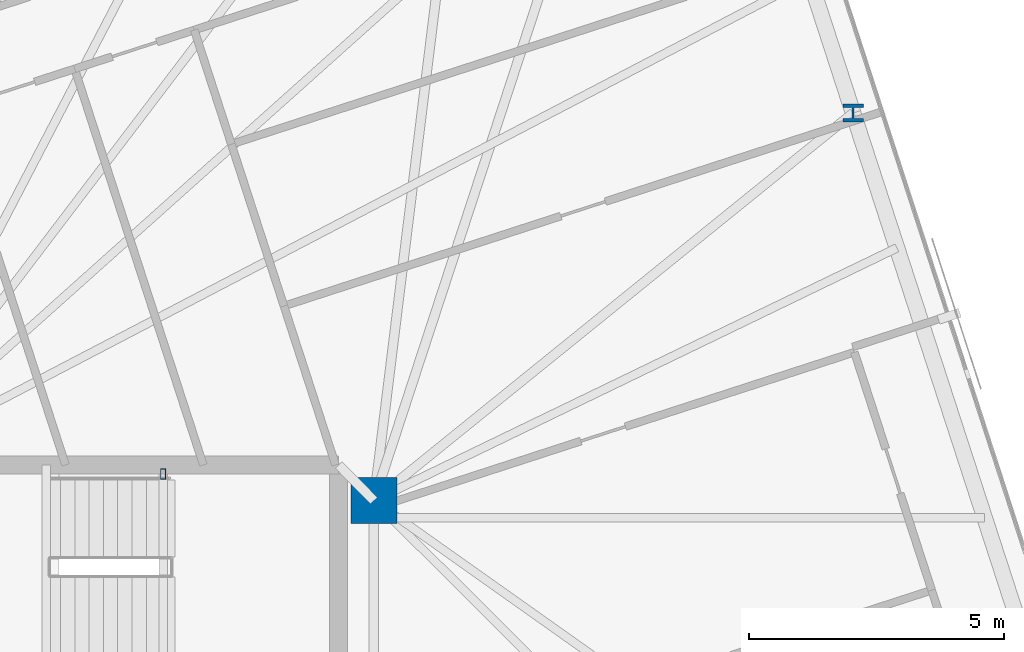
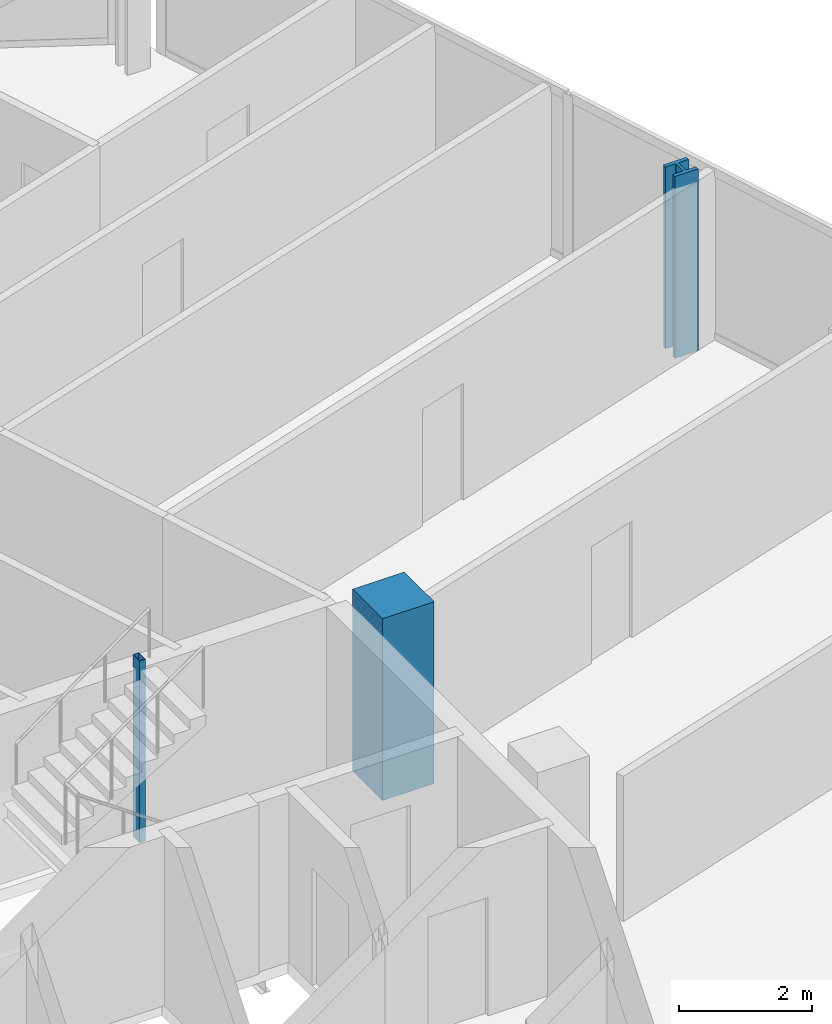
# One storey, part 3 of 20: 3 columns.
"""IFC4 building model written with IfcOpenShell, lengths in metres."""

import ifcopenshell
import ifcopenshell.guid

model = None  # the IFC model being written
_history = None  # IfcOwnerHistory: only IFC2X3 demands one
_inside = {}  # id of a spatial element -> (the spatial element, [elements in it])
_under = {}  # id of a project, library or spatial element -> (it, [spatial elements below it])
_declared = {}  # id of a project -> (the project, [libraries it declares])
_typed = {}  # id of a type object -> (the type object, [elements of that type])
_made_of = {}  # id of a material, layer set ... -> (it, [elements and type objects made of it])


def new_model(schema):
    """Start an empty IFC model of exactly this schema.

    Asked for "IFC4X3", IfcOpenShell would pick the latest addendum, in which some entities
    have other attributes; the version numbers below select the first issue.
    IFC2X3 requires an IfcOwnerHistory on every rooted entity: one is made here for all.
    """
    global model, _history
    if schema == "IFC4X3":
        model = ifcopenshell.file(schema_version=(4, 3, 0, 0))
    else:
        model = ifcopenshell.file(schema=schema)
    _inside.clear()
    _under.clear()
    _declared.clear()
    _typed.clear()
    _made_of.clear()
    _history = None
    if model.schema == "IFC2X3":
        org = make("IfcOrganization", Name="unknown")
        user = make(
            "IfcPersonAndOrganization",
            ThePerson=make("IfcPerson", FamilyName="unknown"),
            TheOrganization=org,
        )
        app = make(
            "IfcApplication",
            ApplicationDeveloper=org,
            Version="unknown",
            ApplicationFullName="unknown",
            ApplicationIdentifier="unknown",
        )
        _history = make(
            "IfcOwnerHistory",
            OwningUser=user,
            OwningApplication=app,
            ChangeAction="ADDED",
            CreationDate=0,
        )
    return model


def make(cls, **values):
    """One entity of the class cls with the attributes given. An attribute that is None is left unset."""
    return model.create_entity(
        cls, **{name: value for name, value in values.items() if value is not None}
    )


def rooted(cls, **values):
    """An entity with a GlobalId (a new one), such as an element, a storey or a relation."""
    return make(cls, GlobalId=ifcopenshell.guid.new(), OwnerHistory=_history, **values)


def si_unit(unit_type, name, prefix=None):
    """IfcSIUnit, for example si_unit("LENGTHUNIT", "METRE", prefix="MILLI")."""
    return make("IfcSIUnit", UnitType=unit_type, Prefix=prefix, Name=name)


def assignment(units):
    """IfcUnitAssignment: the units of a project."""
    return None if units is None else make("IfcUnitAssignment", Units=units)


def point(xyz):
    """IfcCartesianPoint."""
    return None if xyz is None else make("IfcCartesianPoint", Coordinates=xyz)


def direction(xyz):
    """IfcDirection."""
    return None if xyz is None else make("IfcDirection", DirectionRatios=xyz)


def frame(location, z_axis=None, x_axis=None):
    """IfcAxis2Placement3D, a coordinate frame: its origin and axes. An axis left out is left unset."""
    return make(
        "IfcAxis2Placement3D",
        Location=point(location),
        Axis=direction(z_axis),
        RefDirection=direction(x_axis),
    )


def frame_2d(location, x_axis=None):
    """IfcAxis2Placement2D, a coordinate frame in the plane: its origin and x axis."""
    return make(
        "IfcAxis2Placement2D", Location=point(location), RefDirection=direction(x_axis)
    )


def origin():
    """The frame at (0, 0, 0) with its axes left unset."""
    return frame((0.0, 0.0, 0.0))


def origin_2d():
    """The frame at (0, 0) in the plane with its x axis left unset."""
    return frame_2d((0.0, 0.0))


def place(relative_to, where):
    """IfcLocalPlacement: puts the frame where relative to a parent placement (None: the world)."""
    return make(
        "IfcLocalPlacement", PlacementRelTo=relative_to, RelativePlacement=where
    )


def context(
    kind, dimensions, precision=None, world=None, true_north=None, identifier=None
):
    """IfcGeometricRepresentationContext, for example the 3D "Model" context."""
    return make(
        "IfcGeometricRepresentationContext",
        ContextIdentifier=identifier,
        ContextType=kind,
        CoordinateSpaceDimension=dimensions,
        Precision=precision,
        WorldCoordinateSystem=world,
        TrueNorth=true_north,
    )


def subcontext(parent, identifier, kind, view, scale=None):
    """IfcGeometricRepresentationSubContext, for example "Body" below "Model"."""
    return make(
        "IfcGeometricRepresentationSubContext",
        ContextIdentifier=identifier,
        ContextType=kind,
        ParentContext=parent,
        TargetScale=scale,
        TargetView=view,
    )


def project(units=None, contexts=None):
    """IfcProject with its units and contexts."""
    return rooted(
        "IfcProject",
        Name="project",
        RepresentationContexts=contexts,
        UnitsInContext=assignment(units),
    )


def spatial(cls, under=None, at=None, **own):
    """A site, building, storey or space (cls), placed at a placement, below another one or the project."""
    s = rooted(cls, ObjectPlacement=at, **own)
    if under is not None:
        _under.setdefault(under.id(), (under, []))[1].append(s)
    return s


def profile(cls, at=None, kind="AREA", **sizes):
    """A parametric profile (cls). Its sizes go by their IFC names, for example OverallWidth=200.0."""
    return make(cls, ProfileType=kind, Position=at, **sizes)


def rectangle(**sizes):
    """IfcRectangleProfileDef."""
    return profile("IfcRectangleProfileDef", **sizes)


def hollow_rectangle(**sizes):
    """IfcRectangleHollowProfileDef."""
    return profile("IfcRectangleHollowProfileDef", **sizes)


def i_section(**sizes):
    """IfcIShapeProfileDef."""
    return profile("IfcIShapeProfileDef", **sizes)


def extrude(swept, where, along, depth):
    """IfcExtrudedAreaSolid: the profile swept, set in the frame where, extruded along a direction by depth."""
    return make(
        "IfcExtrudedAreaSolid",
        SweptArea=swept,
        Position=where,
        ExtrudedDirection=direction(along),
        Depth=depth,
    )


def shape(context_of_items, identifier, shape_type, items):
    """IfcShapeRepresentation: the items that make up one representation, for example the "Body"."""
    return make(
        "IfcShapeRepresentation",
        ContextOfItems=context_of_items,
        RepresentationIdentifier=identifier,
        RepresentationType=shape_type,
        Items=items,
    )


def material(Name=None, Category=None):
    """IfcMaterial."""
    return make("IfcMaterial", Name=Name, Category=Category)


def material_profile(
    of_material, cross_section, Name=None, Category=None, Priority=None
):
    """IfcMaterialProfile: a cross section and its material."""
    return make(
        "IfcMaterialProfile",
        Name=Name,
        Material=of_material,
        Profile=cross_section,
        Priority=Priority,
        Category=Category,
    )


def profile_set(profiles, Name=None, composite=None):
    """IfcMaterialProfileSet."""
    return make(
        "IfcMaterialProfileSet",
        Name=Name,
        MaterialProfiles=profiles,
        CompositeProfile=composite,
    )


def made_of(thing, what):
    """Note that an element or type object is made of a material, layer set ...; save() writes the relation."""
    if what is not None:
        _made_of.setdefault(what.id(), (what, []))[1].append(thing)
    return thing


def type_object(cls, material=None, **own):
    """A type object (cls), such as IfcWallType, which elements share."""
    return made_of(rooted(cls, **own), material)


def element(
    cls,
    number,
    at=None,
    inside=None,
    cuts=None,
    type_object=None,
    material=None,
    context=None,
    identifier="Body",
    shape_type=None,
    held_by="IfcProductDefinitionShape",
    body=None,
    shapes=None,
    **own,
):
    """One element of the class cls, such as IfcWall. Its Tag is "e" and its number.

    at: its placement. inside: the storey or other place that contains it. cuts: it is an
    opening in that element (IfcRelVoidsElement). A single representation is given by context,
    identifier, shape_type and body (its items); several are given by shapes. held_by: the class
    of the entity that holds the representations. save() writes the other relations.
    """
    e = rooted(cls, Tag="e%d" % number, ObjectPlacement=at, **own)
    if body is not None:
        shapes = [shape(context, identifier, shape_type, body)]
    if shapes is not None:
        e.Representation = make(held_by, Representations=shapes)
    if inside is not None:
        _inside.setdefault(inside.id(), (inside, []))[1].append(e)
    if cuts is not None:
        rooted(
            "IfcRelVoidsElement", RelatingBuildingElement=cuts, RelatedOpeningElement=e
        )
    if type_object is not None:
        _typed.setdefault(type_object.id(), (type_object, []))[1].append(e)
    return made_of(e, material)


def aggregate(whole, parts):
    """IfcRelAggregates: a whole, such as a stair, and the parts it consists of."""
    return rooted("IfcRelAggregates", RelatingObject=whole, RelatedObjects=parts)


def save(model, path):
    """Write the relations noted so far, then the file.

    IfcRelAggregates (storeys below a building ...), IfcRelContainedInSpatialStructure (elements
    in a storey), IfcRelDefinesByType, IfcRelAssociatesMaterial and IfcRelDeclares: one each for
    every whole, place, type object, material and project.
    """
    for whole, parts in _under.values():
        aggregate(whole, parts)
    for where, things in _inside.values():
        rooted(
            "IfcRelContainedInSpatialStructure",
            RelatedElements=things,
            RelatingStructure=where,
        )
    for kind, things in _typed.values():
        rooted("IfcRelDefinesByType", RelatedObjects=things, RelatingType=kind)
    for what, things in _made_of.values():
        rooted("IfcRelAssociatesMaterial", RelatedObjects=things, RelatingMaterial=what)
    for by, libraries in _declared.values():
        rooted("IfcRelDeclares", RelatingContext=by, RelatedDefinitions=libraries)
    model.write(path)


model = new_model("IFC4")

# Units and contexts
model_context = context("Model", 3, precision=1e-05, world=origin(), true_north=direction((0.0, 1.0)))
body_context = subcontext(model_context, "Body", "Model", "MODEL_VIEW")
ifc_project = project(units=[si_unit("LENGTHUNIT", "METRE"), si_unit("AREAUNIT", "SQUARE_METRE"), si_unit("VOLUMEUNIT", "CUBIC_METRE"), si_unit("PLANEANGLEUNIT", "RADIAN"), si_unit("MASSUNIT", "GRAM", prefix="KILO")], contexts=[model_context])

# Site, building, storey
site_placement = place(None, origin())
site = spatial("IfcSite", under=ifc_project, at=site_placement, CompositionType="ELEMENT")
building_placement = place(site_placement, origin())
building = spatial("IfcBuilding", under=site, at=building_placement, Name="Menara Jurai Vektor", CompositionType="ELEMENT")
storey_placement = place(building_placement, frame((0.0, 0.0, 224.300048828125)))
storey = spatial("IfcBuildingStorey", under=building, at=storey_placement, Name="L59", CompositionType="ELEMENT", Elevation=224.300048828125)

# Columns
ifc_material_1 = material(Name="Concrete C50/60", Category="concrete")
ifc_material_profile_1 = material_profile(ifc_material_1, rectangle(XDim=0.89990234375, YDim=0.89990234375, at=origin_2d()), Name="RC 900x900")
ifc_profile_set_1 = profile_set([ifc_material_profile_1], Name="Concrete C50/60")
column_type_1 = type_object("IfcColumnType", Name="STR-COL-RC900", PredefinedType="COLUMN", material=ifc_profile_set_1)
column_1_placement = place(storey_placement, frame((15.25, 4.89990234375, 0.0), z_axis=(0.0, 0.0, 1.0), x_axis=(1.0, 0.0, 0.0)))
element("IfcColumn", 1, at=column_1_placement, inside=storey, type_object=column_type_1, Name="Core Spine Column CE-NE L59", PredefinedType="COLUMN", context=body_context, shape_type="SweptSolid", body=[
    extrude(rectangle(XDim=0.89990234375, YDim=0.89990234375, at=origin_2d()), origin(), (0.0, 0.0, 1.0), 3.349853515625),
])
ifc_material_2 = material(Name="Steel S355", Category="steel")
ifc_material_profile_2 = material_profile(ifc_material_2, hollow_rectangle(XDim=0.10009765625, YDim=0.199951171875, WallThickness=0.008056640625, at=origin_2d()), Name="RHS 200x100x8")
ifc_profile_set_2 = profile_set([ifc_material_profile_2], Name="Steel S355")
column_type_2 = type_object("IfcColumnType", Name="STR-COL-STAIR", PredefinedType="COLUMN", material=ifc_profile_set_2)
column_2_placement = place(storey_placement, frame((11.1201171875, 5.419921875, 0.0), z_axis=(0.0, 0.0, 1.0), x_axis=(1.0, 0.0, 0.0)))
element("IfcColumn", 2, at=column_2_placement, inside=storey, type_object=column_type_2, Name="Stair Well Header Column ST2-P2 L59", PredefinedType="COLUMN", context=body_context, shape_type="SweptSolid", body=[
    extrude(hollow_rectangle(XDim=0.10009765625, YDim=0.199951171875, WallThickness=0.008056640625, at=origin_2d()), origin(), (0.0, 0.0, 1.0), 3.349853515625),
])
ifc_material_3 = material(Name="Steel S460", Category="steel")
ifc_material_profile_3 = material_profile(ifc_material_3, i_section(OverallWidth=0.405029296875, OverallDepth=0.35498046875, WebThickness=0.0419921875, FlangeThickness=0.068115234375, FilletRadius=0.014892578125, at=origin_2d()), Name="HD 400x551")
ifc_profile_set_3 = profile_set([ifc_material_profile_3], Name="Steel S460")
column_type_3 = type_object("IfcColumnType", Name="STR-EXO-BLK4", PredefinedType="COLUMN", material=ifc_profile_set_3)
column_3_placement = place(storey_placement, frame((24.641845703125, 12.496826171875, 0.0), z_axis=(0.0, 0.0, 1.0), x_axis=(1.0, 0.0, 0.0)))
element("IfcColumn", 3, at=column_3_placement, inside=storey, type_object=column_type_3, Name="Exoskeleton Column BLK4-E3 L59", PredefinedType="COLUMN", context=body_context, shape_type="SweptSolid", body=[
    extrude(i_section(OverallWidth=0.405029296875, OverallDepth=0.35498046875, WebThickness=0.0419921875, FlangeThickness=0.068115234375, FilletRadius=0.014892578125, at=origin_2d()), origin(), (0.0, 0.0, 1.0), 3.349853515625),
])

save(model, "model.ifc")
